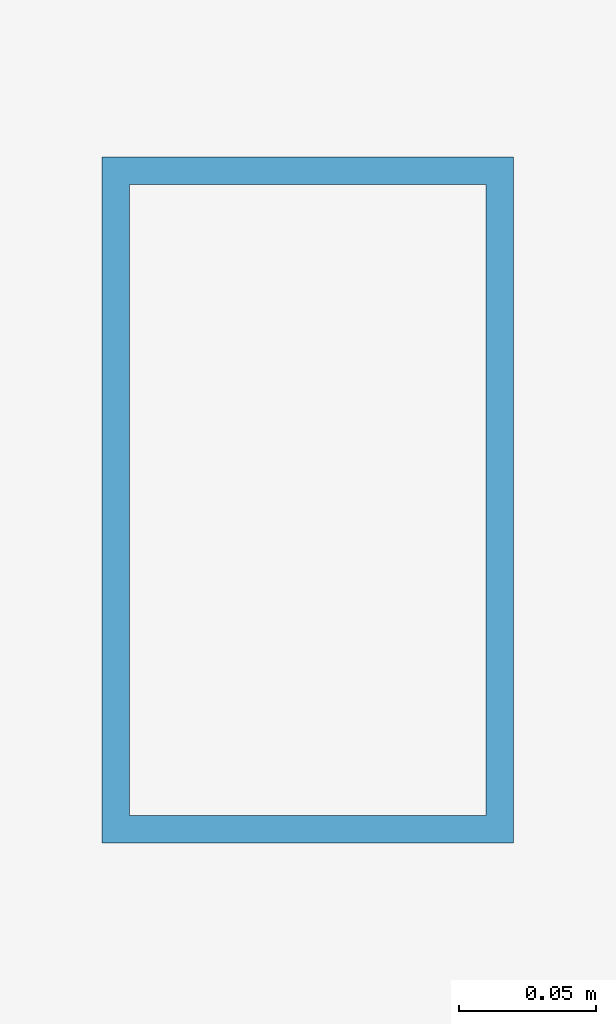
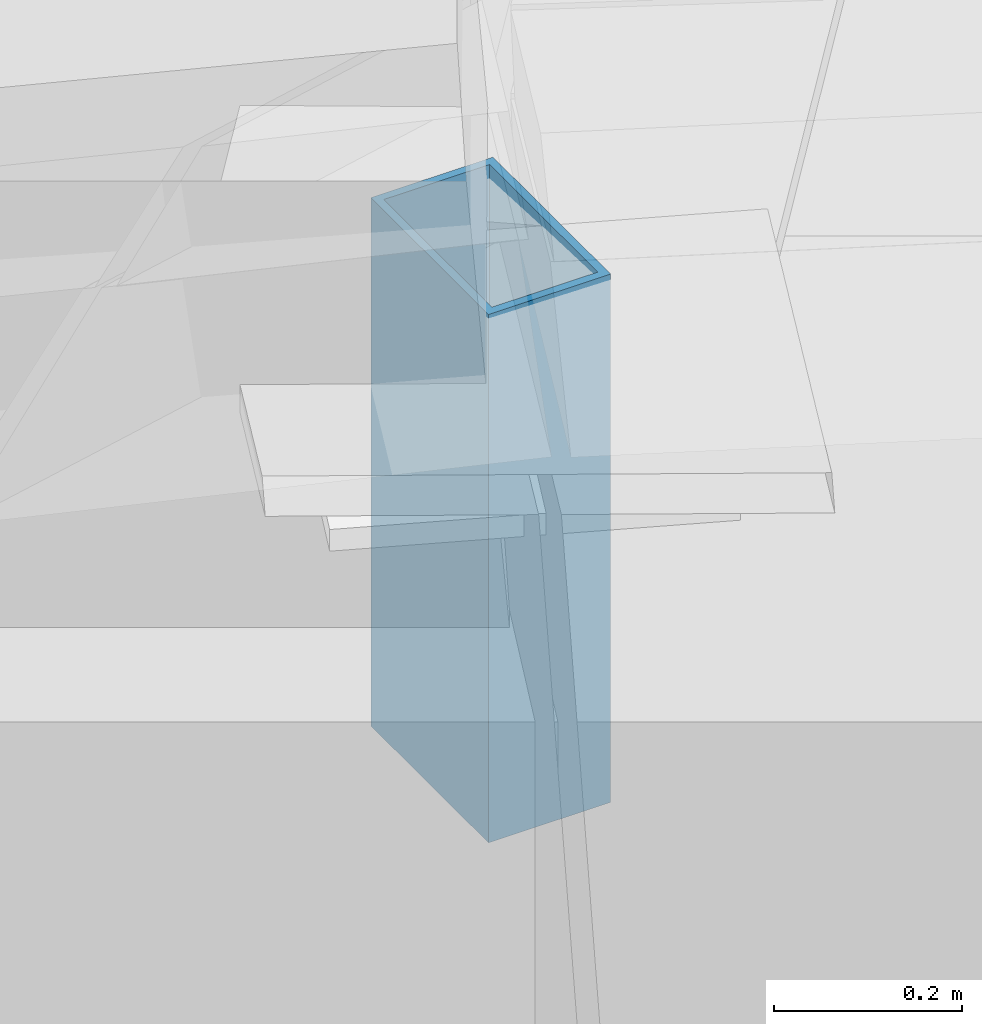
# One storey, part 44 of 68: 1 member.
"""IFC4 building model written with IfcOpenShell, lengths in metres."""

from ifc_helpers import new_model, si_unit, direction, frame, origin, origin_2d, place, context, subcontext, project, spatial, hollow_rectangle, extrude, material, material_profile, profile_set, type_object, element, save


model = new_model("IFC4")

# Units and contexts
model_context = context("Model", 3, precision=1e-05, world=origin(), true_north=direction((0.0, 1.0)))
body_context = subcontext(model_context, "Body", "Model", "MODEL_VIEW")
ifc_project = project(units=[si_unit("LENGTHUNIT", "METRE"), si_unit("AREAUNIT", "SQUARE_METRE"), si_unit("VOLUMEUNIT", "CUBIC_METRE"), si_unit("PLANEANGLEUNIT", "RADIAN"), si_unit("MASSUNIT", "GRAM", prefix="KILO")], contexts=[model_context])

# Site, building, storey
site_placement = place(None, origin())
site = spatial("IfcSite", under=ifc_project, at=site_placement, CompositionType="ELEMENT")
building_placement = place(site_placement, origin())
building = spatial("IfcBuilding", under=site, at=building_placement, Name="Sohan Crest Arena", CompositionType="ELEMENT")
storey_placement = place(building_placement, frame((0.0, 0.0, 27.0)))
storey = spatial("IfcBuildingStorey", under=building, at=storey_placement, Name="RF", CompositionType="ELEMENT", Elevation=27.0)

# Member
ifc_material = material(Name="Steel S355", Category="steel")
ifc_material_profile = material_profile(ifc_material, hollow_rectangle(XDim=0.14990234375, YDim=0.25, WallThickness=0.010009765625, at=origin_2d()), Name="RHS 250x150x10")
ifc_profile_set = profile_set([ifc_material_profile], Name="Steel S355")
member_type = type_object("IfcMemberType", Name="STR-MEM-CH02", PredefinedType="CHORD", material=ifc_profile_set)
member_placement = place(storey_placement, frame((71.153076171875, 93.5, 4.904052734375), z_axis=(0.0, 0.0, 1.0), x_axis=(1.0, 0.0, 0.0)))
element("IfcMember", 1, at=member_placement, inside=storey, type_object=member_type, Name="Ring beam roof bearing saddle chord RSR-05", PredefinedType="CHORD", context=body_context, shape_type="SweptSolid", body=[
    extrude(hollow_rectangle(XDim=0.14990234375, YDim=0.25, WallThickness=0.010009765625, at=origin_2d()), origin(), (0.0, 0.0, 1.0), 0.68505859375),
])

save(model, "model.ifc")
